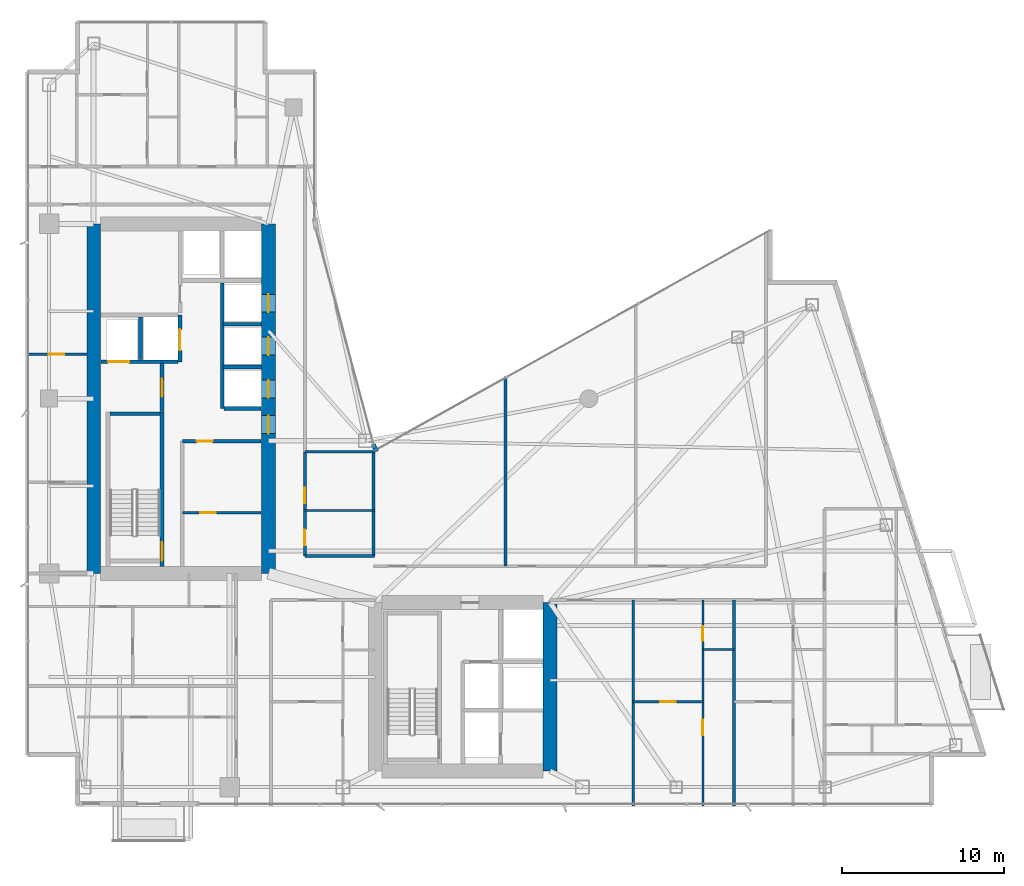
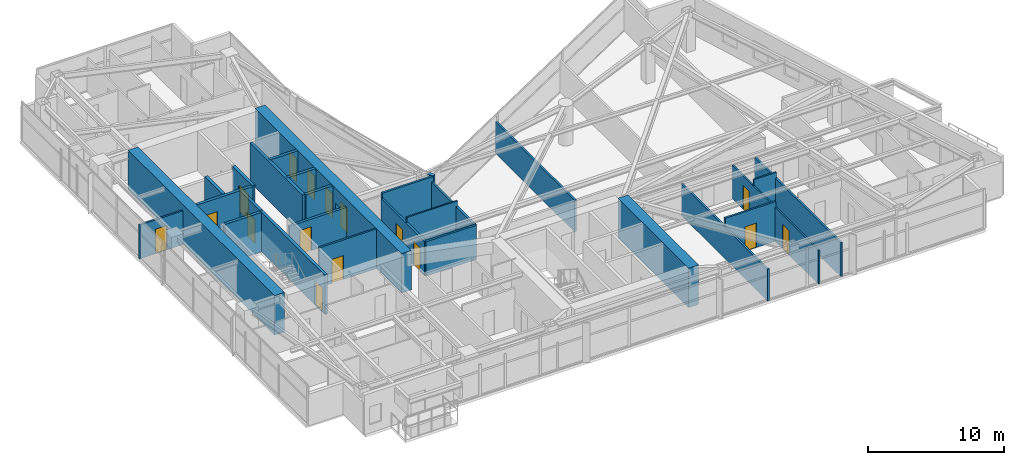
# One storey, part 23 of 29: 28 walls, 16 doors, 16 openings.
"""IFC4 building model written with IfcOpenShell, lengths in metres."""

from ifc_helpers import new_model, si_unit, direction, frame, frame_2d, origin, place, context, subcontext, project, spatial, rectangle, extrude, material, layer, layer_set, type_object, element, fill, save


model = new_model("IFC4")

# Units and contexts
model_context = context("Model", 3, precision=1e-05, world=origin(), true_north=direction((0.0, 1.0)))
body_context = subcontext(model_context, "Body", "Model", "MODEL_VIEW")
ifc_project = project(units=[si_unit("LENGTHUNIT", "METRE"), si_unit("AREAUNIT", "SQUARE_METRE"), si_unit("VOLUMEUNIT", "CUBIC_METRE"), si_unit("PLANEANGLEUNIT", "RADIAN"), si_unit("MASSUNIT", "GRAM", prefix="KILO")], contexts=[model_context])

# Site, building, storey
site_placement = place(None, origin())
site = spatial("IfcSite", under=ifc_project, at=site_placement, CompositionType="ELEMENT")
building_placement = place(site_placement, origin())
building = spatial("IfcBuilding", under=site, at=building_placement, Name="Calvorn Quay Hotel", CompositionType="ELEMENT")
storey_placement = place(building_placement, frame((0.0, 0.0, 124.0)))
storey = spatial("IfcBuildingStorey", under=building, at=storey_placement, Name="L30", CompositionType="ELEMENT", Elevation=124.0)

# Wall
ifc_material_1 = material(Name="Concrete C50", Category="concrete")
ifc_layer_1 = layer(ifc_material_1, 0.85009765625)
ifc_layer_set_1 = layer_set([ifc_layer_1], Name="WL-CORE-850")
wall_type_1 = type_object("IfcWallType", Name="WL-CORE-850", PredefinedType="SHEAR", material=ifc_layer_set_1)
wall_1_placement = place(storey_placement, frame((4.199951171875, 16.800048828125, 0.0), z_axis=(0.0, 0.0, 1.0), x_axis=(0.0, 1.0, 0.0)))
element("IfcWall", 1, at=wall_1_placement, inside=storey, type_object=wall_type_1, Name="West Core Shear Wall W (L30)", PredefinedType="SHEAR", context=body_context, shape_type="SweptSolid", body=[
    extrude(rectangle(XDim=21.599853515625, YDim=0.85009765625, at=frame_2d((10.7998046875, 0.0))), origin(), (0.0, 0.0, 1.0), 3.56005859375),
])

# Wall, openings, doors
wall_2_placement = place(storey_placement, frame((15.0, 16.800048828125, 0.0), z_axis=(0.0, 0.0, 1.0), x_axis=(0.0, 1.0, 0.0)))
wall_2 = element("IfcWall", 2, at=wall_2_placement, inside=storey, type_object=wall_type_1, Name="West Core Shear Wall E (L30)", PredefinedType="SHEAR", context=body_context, shape_type="SweptSolid", body=[
    extrude(rectangle(XDim=21.599853515625, YDim=0.85009765625, at=frame_2d((10.7998046875, 0.0))), origin(), (0.0, 0.0, 1.0), 3.56005859375),
])
opening_1_placement = place(wall_2_placement, frame((8.64990234375, 0.0, 0.0)))
opening_1 = element("IfcOpeningElement", 3, at=opening_1_placement, cuts=wall_2, Name="Opening D-L30-CW1", PredefinedType="OPENING", context=body_context, shape_type="SweptSolid", body=[
    extrude(rectangle(XDim=1.10009765625, YDim=2.199951171875, at=frame_2d((0.550048828125, 1.10009765625))), frame((0.0, 0.43505859375, 0.0), z_axis=(0.0, -1.0, 0.0), x_axis=(1.0, 0.0, 0.0)), (0.0, 0.0, 1.0), 0.8701171875),
])
opening_2_placement = place(wall_2_placement, frame((10.85009765625, 0.0, 0.0)))
opening_2 = element("IfcOpeningElement", 4, at=opening_2_placement, cuts=wall_2, Name="Opening LD-L30-M1", PredefinedType="OPENING", context=body_context, shape_type="SweptSolid", body=[
    extrude(rectangle(XDim=1.10009765625, YDim=2.199951171875, at=frame_2d((0.550048828125, 1.10009765625))), frame((0.0, 0.43505859375, 0.0), z_axis=(0.0, -1.0, 0.0), x_axis=(1.0, 0.0, 0.0)), (0.0, 0.0, 1.0), 0.8701171875),
])
opening_3_placement = place(wall_2_placement, frame((13.5, 0.0, 0.0)))
opening_3 = element("IfcOpeningElement", 5, at=opening_3_placement, cuts=wall_2, Name="Opening LD-L30-M2", PredefinedType="OPENING", context=body_context, shape_type="SweptSolid", body=[
    extrude(rectangle(XDim=1.10009765625, YDim=2.199951171875, at=frame_2d((0.550048828125, 1.10009765625))), frame((0.0, 0.43505859375, 0.0), z_axis=(0.0, -1.0, 0.0), x_axis=(1.0, 0.0, 0.0)), (0.0, 0.0, 1.0), 0.8701171875),
])
opening_4_placement = place(wall_2_placement, frame((16.14990234375, 0.0, 0.0)))
opening_4 = element("IfcOpeningElement", 6, at=opening_4_placement, cuts=wall_2, Name="Opening LD-L30-M3", PredefinedType="OPENING", context=body_context, shape_type="SweptSolid", body=[
    extrude(rectangle(XDim=1.10009765625, YDim=2.199951171875, at=frame_2d((0.550048828125, 1.10009765625))), frame((0.0, 0.43505859375, 0.0), z_axis=(0.0, -1.0, 0.0), x_axis=(1.0, 0.0, 0.0)), (0.0, 0.0, 1.0), 0.8701171875),
])
ifc_material_2 = material(Name="Smoke-Sealed Steel Class A Fire Door", Category="steel")
door_type_1 = type_object("IfcDoorType", Name="DR-FFLOBBY-1100", OperationType="NOTDEFINED", PredefinedType="DOOR", material=ifc_material_2)
door_1_placement = place(opening_1_placement, origin())
door_1 = element("IfcDoor", 7, at=door_1_placement, inside=storey, type_object=door_type_1, Name="West Core Vestibule Fire Door (L30)", OperationType="SINGLE_SWING_LEFT", OverallHeight=2.199951171875, OverallWidth=1.10009765625, PredefinedType="DOOR", context=body_context, shape_type="SweptSolid", body=[
    extrude(rectangle(XDim=1.10009765625, YDim=2.199951171875, at=frame_2d((0.550048828125, 1.10009765625))), frame((0.0, 0.02490234375, 0.0), z_axis=(0.0, -1.0, 0.0), x_axis=(1.0, 0.0, 0.0)), (0.0, 0.0, 1.0), 0.050048828125),
])
fill(opening_1, door_1)
ifc_material_3 = material(Name="Brushed Stainless Steel Sliding Lift Landing Door", Category="steel")
door_type_2 = type_object("IfcDoorType", Name="DR-LIFT-PASS-1100", OperationType="NOTDEFINED", PredefinedType="DOOR", material=ifc_material_3)
door_2_placement = place(opening_2_placement, origin())
door_2 = element("IfcDoor", 8, at=door_2_placement, inside=storey, type_object=door_type_2, Name="Mid-Rise Lift PL-M1 Landing Door (L30)", OperationType="DOUBLE_DOOR_SLIDING", OverallHeight=2.199951171875, OverallWidth=1.10009765625, PredefinedType="DOOR", context=body_context, shape_type="SweptSolid", body=[
    extrude(rectangle(XDim=1.10009765625, YDim=2.199951171875, at=frame_2d((0.550048828125, 1.10009765625))), frame((0.0, 0.02490234375, 0.0), z_axis=(0.0, -1.0, 0.0), x_axis=(1.0, 0.0, 0.0)), (0.0, 0.0, 1.0), 0.050048828125),
])
fill(opening_2, door_2)
door_3_placement = place(opening_3_placement, origin())
door_3 = element("IfcDoor", 9, at=door_3_placement, inside=storey, type_object=door_type_2, Name="Mid-Rise Lift PL-M2 Landing Door (L30)", OperationType="DOUBLE_DOOR_SLIDING", OverallHeight=2.199951171875, OverallWidth=1.10009765625, PredefinedType="DOOR", context=body_context, shape_type="SweptSolid", body=[
    extrude(rectangle(XDim=1.10009765625, YDim=2.199951171875, at=frame_2d((0.550048828125, 1.10009765625))), frame((0.0, 0.02490234375, 0.0), z_axis=(0.0, -1.0, 0.0), x_axis=(1.0, 0.0, 0.0)), (0.0, 0.0, 1.0), 0.050048828125),
])
fill(opening_3, door_3)
door_4_placement = place(opening_4_placement, origin())
door_4 = element("IfcDoor", 10, at=door_4_placement, inside=storey, type_object=door_type_2, Name="Mid-Rise Lift PL-M3 Landing Door (L30)", OperationType="DOUBLE_DOOR_SLIDING", OverallHeight=2.199951171875, OverallWidth=1.10009765625, PredefinedType="DOOR", context=body_context, shape_type="SweptSolid", body=[
    extrude(rectangle(XDim=1.10009765625, YDim=2.199951171875, at=frame_2d((0.550048828125, 1.10009765625))), frame((0.0, 0.02490234375, 0.0), z_axis=(0.0, -1.0, 0.0), x_axis=(1.0, 0.0, 0.0)), (0.0, 0.0, 1.0), 0.050048828125),
])
fill(opening_4, door_4)

# Walls
wall_3_placement = place(storey_placement, frame((32.39990234375, 4.60009765625, 0.0), z_axis=(0.0, 0.0, 1.0), x_axis=(0.0, 1.0, 0.0)))
element("IfcWall", 11, at=wall_3_placement, inside=storey, type_object=wall_type_1, Name="East Core Shear Wall E (L30)", PredefinedType="SHEAR", context=body_context, shape_type="SweptSolid", body=[
    extrude(rectangle(XDim=10.39990234375, YDim=0.85009765625, at=frame_2d((5.199951171875, 0.0))), origin(), (0.0, 0.0, 1.0), 3.56005859375),
])
ifc_material_4 = material(Name="Acoustic Fireboard Steel-Stud Partition", Category="steel")
ifc_layer_2 = layer(ifc_material_4, 0.179931640625)
ifc_layer_set_2 = layer_set([ifc_layer_2], Name="WL-CORR-FIRE-180")
wall_type_2 = type_object("IfcWallType", Name="WL-CORR-FIRE-180", PredefinedType="PARTITIONING", material=ifc_layer_set_2)
wall_4_placement = place(storey_placement, frame((17.25, 17.8798828125, 0.0), z_axis=(0.0, 0.0, 1.0), x_axis=(1.0, 0.0, 0.0)))
element("IfcWall", 12, at=wall_4_placement, inside=storey, type_object=wall_type_2, Name="Partition Wall L30-WL-HK-S", PredefinedType="PARTITIONING", context=body_context, shape_type="SweptSolid", body=[
    extrude(rectangle(XDim=4.300048828125, YDim=0.179931640625, at=frame_2d((2.14990234375, 0.0))), origin(), (0.0, 0.0, 1.0), 3.090087890625),
])
wall_5_placement = place(storey_placement, frame((17.25, 24.320068359375, 0.0), z_axis=(0.0, 0.0, 1.0), x_axis=(1.0, 0.0, 0.0)))
element("IfcWall", 13, at=wall_5_placement, inside=storey, type_object=wall_type_2, Name="Partition Wall L30-WL-HK-N", PredefinedType="PARTITIONING", context=body_context, shape_type="SweptSolid", body=[
    extrude(rectangle(XDim=4.35009765625, YDim=0.179931640625, at=frame_2d((2.175048828125, 0.0))), origin(), (0.0, 0.0, 1.0), 3.56005859375),
])
wall_6_placement = place(storey_placement, frame((21.5, 17.8798828125, 0.0), z_axis=(0.0, 0.0, 1.0), x_axis=(0.0, 1.0, 0.0)))
element("IfcWall", 14, at=wall_6_placement, inside=storey, type_object=wall_type_2, Name="Partition Wall L30-WL-HK-E", PredefinedType="PARTITIONING", context=body_context, shape_type="SweptSolid", body=[
    extrude(rectangle(XDim=6.440185546875, YDim=0.179931640625, at=frame_2d((3.22021484375, 0.0))), origin(), (0.0, 0.0, 1.0), 3.090087890625),
])

# Wall, openings, doors
wall_7_placement = place(storey_placement, frame((17.25, 17.8798828125, 0.0), z_axis=(0.0, 0.0, 1.0), x_axis=(0.0, 1.0, 0.0)))
wall_7 = element("IfcWall", 15, at=wall_7_placement, inside=storey, type_object=wall_type_2, Name="Partition Wall L30-WL-HK-W", PredefinedType="PARTITIONING", context=body_context, shape_type="SweptSolid", body=[
    extrude(rectangle(XDim=6.440185546875, YDim=0.179931640625, at=frame_2d((3.22021484375, 0.0))), origin(), (0.0, 0.0, 1.0), 3.090087890625),
])
opening_5_placement = place(wall_7_placement, frame((0.64990234375, 0.0, 0.0)))
opening_5 = element("IfcOpeningElement", 16, at=opening_5_placement, cuts=wall_7, Name="Opening D-L30-HK", PredefinedType="OPENING", context=body_context, shape_type="SweptSolid", body=[
    extrude(rectangle(XDim=0.97998046875, YDim=2.14990234375, at=frame_2d((0.489990234375, 1.074951171875))), frame((0.0, 0.099853515625, 0.0), z_axis=(0.0, -1.0, 0.0), x_axis=(1.0, 0.0, 0.0)), (0.0, 0.0, 1.0), 0.199951171875),
])
opening_6_placement = place(wall_7_placement, frame((3.27001953125, 0.0, 0.0)))
opening_6 = element("IfcOpeningElement", 17, at=opening_6_placement, cuts=wall_7, Name="Opening D-L30-NCP", PredefinedType="OPENING", context=body_context, shape_type="SweptSolid", body=[
    extrude(rectangle(XDim=0.9599609375, YDim=2.199951171875, at=frame_2d((0.47998046875, 1.10009765625))), frame((0.0, 0.099853515625, 0.0), z_axis=(0.0, -1.0, 0.0), x_axis=(1.0, 0.0, 0.0)), (0.0, 0.0, 1.0), 0.199951171875),
])
ifc_material_5 = material(Name="Painted Steel Housekeeping/Riser Fire Door", Category="steel")
door_type_3 = type_object("IfcDoorType", Name="DR-SERVICE-980", OperationType="NOTDEFINED", PredefinedType="DOOR", material=ifc_material_5)
door_5_placement = place(opening_5_placement, origin())
door_5 = element("IfcDoor", 18, at=door_5_placement, inside=storey, type_object=door_type_3, Name="Floor Housekeeping Door (L30)", OperationType="SINGLE_SWING_LEFT", OverallHeight=2.14990234375, OverallWidth=0.97998046875, PredefinedType="DOOR", context=body_context, shape_type="SweptSolid", body=[
    extrude(rectangle(XDim=0.97998046875, YDim=2.14990234375, at=frame_2d((0.489990234375, 1.074951171875))), frame((0.0, 0.02490234375, 0.0), z_axis=(0.0, -1.0, 0.0), x_axis=(1.0, 0.0, 0.0)), (0.0, 0.0, 1.0), 0.050048828125),
])
fill(opening_5, door_5)
ifc_material_6 = material(Name="Solid Timber Internal Suite Door", Category="wood")
door_type_4 = type_object("IfcDoorType", Name="DR-SUITE-INT-960", OperationType="NOTDEFINED", PredefinedType="DOOR", material=ifc_material_6)
door_6_placement = place(opening_6_placement, origin())
door_6 = element("IfcDoor", 19, at=door_6_placement, inside=storey, type_object=door_type_4, Name="Reading Alcove Door (L30)", OperationType="SINGLE_SWING_RIGHT", OverallHeight=2.199951171875, OverallWidth=0.9599609375, PredefinedType="DOOR", context=body_context, shape_type="SweptSolid", body=[
    extrude(rectangle(XDim=0.9599609375, YDim=2.199951171875, at=frame_2d((0.47998046875, 1.10009765625))), frame((0.0, 0.02490234375, 0.0), z_axis=(0.0, -1.0, 0.0), x_axis=(1.0, 0.0, 0.0)), (0.0, 0.0, 1.0), 0.050048828125),
])
fill(opening_6, door_6)

# Walls
ifc_material_7 = material(Name="Moisture-Resistant Tile-Backed Partition")
ifc_layer_3 = layer(ifc_material_7, 0.125)
ifc_layer_set_3 = layer_set([ifc_layer_3], Name="WL-ENSUITE-125")
wall_type_3 = type_object("IfcWallType", Name="WL-ENSUITE-125", PredefinedType="PARTITIONING", material=ifc_layer_set_3)
wall_8_placement = place(storey_placement, frame((17.25, 20.679931640625, 0.0), z_axis=(0.0, 0.0, 1.0), x_axis=(1.0, 0.0, 0.0)))
element("IfcWall", 20, at=wall_8_placement, inside=storey, type_object=wall_type_3, Name="Partition Wall L30-WL-HK-M", PredefinedType="PARTITIONING", context=body_context, shape_type="SweptSolid", body=[
    extrude(rectangle(XDim=4.300048828125, YDim=0.125, at=frame_2d((2.14990234375, 0.0))), origin(), (0.0, 0.0, 1.0), 3.56005859375),
])
wall_9_placement = place(storey_placement, frame((41.840087890625, 12.10009765625, 0.0), z_axis=(0.0, 0.0, 1.0), x_axis=(1.0, 0.0, 0.0)))
element("IfcWall", 21, at=wall_9_placement, inside=storey, type_object=wall_type_3, Name="Partition Wall L30-WL-U06-BDV", PredefinedType="PARTITIONING", context=body_context, shape_type="SweptSolid", body=[
    extrude(rectangle(XDim=1.929931640625, YDim=0.125, at=frame_2d((0.96484375, 0.0))), origin(), (0.0, 0.0, 1.0), 3.56005859375),
])

# Wall, openings, doors
wall_10_placement = place(storey_placement, frame((41.840087890625, 2.43994140625, 0.0), z_axis=(0.0, 0.0, 1.0), x_axis=(0.0, 1.0, 0.0)))
wall_10 = element("IfcWall", 22, at=wall_10_placement, inside=storey, type_object=wall_type_3, Name="Partition Wall L30-WL-U06-BV", PredefinedType="PARTITIONING", context=body_context, shape_type="SweptSolid", body=[
    extrude(rectangle(XDim=12.7099609375, YDim=0.125, at=frame_2d((6.35498046875, 0.0))), origin(), (0.0, 0.0, 1.0), 3.0400390625),
])
opening_7_placement = place(wall_10_placement, frame((4.35009765625, 0.0, 0.0)))
opening_7 = element("IfcOpeningElement", 23, at=opening_7_placement, cuts=wall_10, Name="Opening D-L30-S06", PredefinedType="OPENING", context=body_context, shape_type="SweptSolid", body=[
    extrude(rectangle(XDim=0.9599609375, YDim=2.199951171875, at=frame_2d((0.47998046875, 1.10009765625))), frame((0.0, 0.072509765625, 0.0), z_axis=(0.0, -1.0, 0.0), x_axis=(1.0, 0.0, 0.0)), (0.0, 0.0, 1.0), 0.14501953125),
])
opening_8_placement = place(wall_10_placement, frame((10.2099609375, 0.0, 0.0)))
opening_8 = element("IfcOpeningElement", 24, at=opening_8_placement, cuts=wall_10, Name="Opening D-L30-E06", PredefinedType="OPENING", context=body_context, shape_type="SweptSolid", body=[
    extrude(rectangle(XDim=0.89990234375, YDim=2.14990234375, at=frame_2d((0.449951171875, 1.074951171875))), frame((0.0, 0.072509765625, 0.0), z_axis=(0.0, -1.0, 0.0), x_axis=(1.0, 0.0, 0.0)), (0.0, 0.0, 1.0), 0.14501953125),
])
ifc_material_8 = material(Name="Moisture-Sealed Timber En-Suite Door", Category="wood")
door_type_5 = type_object("IfcDoorType", Name="DR-ENSUITE-900", OperationType="NOTDEFINED", PredefinedType="DOOR", material=ifc_material_8)
door_7_placement = place(opening_8_placement, origin())
door_7 = element("IfcDoor", 25, at=door_7_placement, inside=storey, type_object=door_type_5, Name="En-Suite Door 06", OperationType="SINGLE_SWING_RIGHT", OverallHeight=2.14990234375, OverallWidth=0.89990234375, PredefinedType="DOOR", context=body_context, shape_type="SweptSolid", body=[
    extrude(rectangle(XDim=0.89990234375, YDim=2.14990234375, at=frame_2d((0.449951171875, 1.074951171875))), frame((0.0, 0.02490234375, 0.0), z_axis=(0.0, -1.0, 0.0), x_axis=(1.0, 0.0, 0.0)), (0.0, 0.0, 1.0), 0.050048828125),
])
fill(opening_8, door_7)
door_8_placement = place(opening_7_placement, origin())
door_8 = element("IfcDoor", 26, at=door_8_placement, inside=storey, type_object=door_type_4, Name="Harbour Tea Room Door 06", OperationType="SINGLE_SWING_LEFT", OverallHeight=2.199951171875, OverallWidth=0.9599609375, PredefinedType="DOOR", context=body_context, shape_type="SweptSolid", body=[
    extrude(rectangle(XDim=0.9599609375, YDim=2.199951171875, at=frame_2d((0.47998046875, 1.10009765625))), frame((0.0, 0.02490234375, 0.0), z_axis=(0.0, -1.0, 0.0), x_axis=(1.0, 0.0, 0.0)), (0.0, 0.0, 1.0), 0.050048828125),
])
fill(opening_7, door_8)

# Wall
ifc_material_9 = material(Name="Concrete C40", Category="concrete")
ifc_layer_4 = layer(ifc_material_9, 0.320068359375)
ifc_layer_set_4 = layer_set([ifc_layer_4], Name="WL-EXT-SPANDREL-320")
wall_type_4 = type_object("IfcWallType", Name="WL-EXT-SPANDREL-320", PredefinedType="SOLIDWALL", material=ifc_layer_set_4)
wall_11_placement = place(storey_placement, frame((21.679931640625, 24.340087890625, 0.0), z_axis=(0.0, 0.0, 1.0), x_axis=(-0.40758134973, 0.913168901875, 0.0)))
element("IfcWall", 27, at=wall_11_placement, inside=storey, type_object=wall_type_4, Name="Inner Court Corner Pier L30-ICJ1", PredefinedType="SOLIDWALL", context=body_context, shape_type="SweptSolid", body=[
    extrude(rectangle(XDim=0.470703125, YDim=0.280029296875, at=frame_2d((0.2353515625, 0.0))), origin(), (0.0, 0.0, 1.0), 3.56005859375),
])

# Wall, opening, door
ifc_material_10 = material(Name="Double-Stud Acoustic Gypsum Partition")
ifc_layer_5 = layer(ifc_material_10, 0.159912109375)
ifc_layer_set_5 = layer_set([ifc_layer_5], Name="WL-INTERSUITE-160")
wall_type_5 = type_object("IfcWallType", Name="WL-INTERSUITE-160", PredefinedType="PARTITIONING", material=ifc_layer_set_5)
wall_12_placement = place(storey_placement, frame((9.679931640625, 20.550048828125, 0.0), z_axis=(0.0, 0.0, 1.0), x_axis=(1.0, 0.0, 0.0)))
wall_12 = element("IfcWall", 28, at=wall_12_placement, inside=storey, type_object=wall_type_5, Name="Partition Wall L30-WL-CWW-FR-SPLIT", PredefinedType="PARTITIONING", context=body_context, shape_type="SweptSolid", body=[
    extrude(rectangle(XDim=4.875, YDim=0.159912109375, at=frame_2d((2.4375, 0.0))), origin(), (0.0, 0.0, 1.0), 3.56005859375),
])
opening_9_placement = place(wall_12_placement, frame((1.10009765625, 0.0, 0.0)))
opening_9 = element("IfcOpeningElement", 29, at=opening_9_placement, cuts=wall_12, Name="Opening D-L30-FRL1", PredefinedType="OPENING", context=body_context, shape_type="SweptSolid", body=[
    extrude(rectangle(XDim=0.97998046875, YDim=2.14990234375, at=frame_2d((0.489990234375, 1.074951171875))), frame((0.0, 0.08984375, 0.0), z_axis=(0.0, -1.0, 0.0), x_axis=(1.0, 0.0, 0.0)), (0.0, 0.0, 1.0), 0.179931640625),
])
door_9_placement = place(opening_9_placement, origin())
door_9 = element("IfcDoor", 30, at=door_9_placement, inside=storey, type_object=door_type_3, Name="Linen Store Room Door (L30)", OperationType="SINGLE_SWING_LEFT", OverallHeight=2.14990234375, OverallWidth=0.97998046875, PredefinedType="DOOR", context=body_context, shape_type="SweptSolid", body=[
    extrude(rectangle(XDim=0.97998046875, YDim=2.14990234375, at=frame_2d((0.489990234375, 1.074951171875))), frame((0.0, 0.02490234375, 0.0), z_axis=(0.0, -1.0, 0.0), x_axis=(1.0, 0.0, 0.0)), (0.0, 0.0, 1.0), 0.050048828125),
])
fill(opening_9, door_9)

wall_13_placement = place(storey_placement, frame((0.080078125, 30.35009765625, 0.0), z_axis=(0.0, 0.0, 1.0), x_axis=(1.0, 0.0, 0.0)))
wall_13 = element("IfcWall", 31, at=wall_13_placement, inside=storey, type_object=wall_type_5, Name="Partition Wall L30-WL-WBAY-DIVB", PredefinedType="PARTITIONING", context=body_context, shape_type="SweptSolid", body=[
    extrude(rectangle(XDim=3.724853515625, YDim=0.159912109375, at=frame_2d((1.8623046875, 0.0))), origin(), (0.0, 0.0, 1.0), 3.0400390625),
])
opening_10_placement = place(wall_13_placement, frame((1.35009765625, 0.0, 0.0)))
opening_10 = element("IfcOpeningElement", 32, at=opening_10_placement, cuts=wall_13, Name="Opening D-L30-WBB", PredefinedType="OPENING", context=body_context, shape_type="SweptSolid", body=[
    extrude(rectangle(XDim=0.9599609375, YDim=2.199951171875, at=frame_2d((0.47998046875, 1.10009765625))), frame((0.0, 0.08984375, 0.0), z_axis=(0.0, -1.0, 0.0), x_axis=(1.0, 0.0, 0.0)), (0.0, 0.0, 1.0), 0.179931640625),
])
door_10_placement = place(opening_10_placement, origin())
door_10 = element("IfcDoor", 33, at=door_10_placement, inside=storey, type_object=door_type_4, Name="West North Connecting Door (L30)", OperationType="SINGLE_SWING_RIGHT", OverallHeight=2.199951171875, OverallWidth=0.9599609375, PredefinedType="DOOR", context=body_context, shape_type="SweptSolid", body=[
    extrude(rectangle(XDim=0.9599609375, YDim=2.199951171875, at=frame_2d((0.47998046875, 1.10009765625))), frame((0.0, 0.02490234375, 0.0), z_axis=(0.0, -1.0, 0.0), x_axis=(1.0, 0.0, 0.0)), (0.0, 0.0, 1.0), 0.050048828125),
])
fill(opening_10, door_10)

wall_14_placement = place(storey_placement, frame((37.530029296875, 8.8798828125, 0.0), z_axis=(0.0, 0.0, 1.0), x_axis=(1.0, 0.0, 0.0)))
wall_14 = element("IfcWall", 34, at=wall_14_placement, inside=storey, type_object=wall_type_5, Name="Partition Wall L30-WL-U06-MSP", PredefinedType="PARTITIONING", context=body_context, shape_type="SweptSolid", body=[
    extrude(rectangle(XDim=4.31005859375, YDim=0.159912109375, at=frame_2d((2.155029296875, 0.0))), origin(), (0.0, 0.0, 1.0), 3.56005859375),
])
opening_11_placement = place(wall_14_placement, frame((1.679931640625, 0.0, 0.0)))
opening_11 = element("IfcOpeningElement", 35, at=opening_11_placement, cuts=wall_14, Name="Opening D-L30-M06", PredefinedType="OPENING", context=body_context, shape_type="SweptSolid", body=[
    extrude(rectangle(XDim=0.9599609375, YDim=2.199951171875, at=frame_2d((0.47998046875, 1.10009765625))), frame((0.0, 0.08984375, 0.0), z_axis=(0.0, -1.0, 0.0), x_axis=(1.0, 0.0, 0.0)), (0.0, 0.0, 1.0), 0.179931640625),
])
door_11_placement = place(opening_11_placement, origin())
door_11 = element("IfcDoor", 36, at=door_11_placement, inside=storey, type_object=door_type_4, Name="Suite Bedroom Door 06", OperationType="SINGLE_SWING_LEFT", OverallHeight=2.199951171875, OverallWidth=0.9599609375, PredefinedType="DOOR", context=body_context, shape_type="SweptSolid", body=[
    extrude(rectangle(XDim=0.9599609375, YDim=2.199951171875, at=frame_2d((0.47998046875, 1.10009765625))), frame((0.0, 0.02490234375, 0.0), z_axis=(0.0, -1.0, 0.0), x_axis=(1.0, 0.0, 0.0)), (0.0, 0.0, 1.0), 0.050048828125),
])
fill(opening_11, door_11)

# Walls
wall_15_placement = place(storey_placement, frame((37.530029296875, 2.43994140625, 0.0), z_axis=(0.0, 0.0, 1.0), x_axis=(0.0, 1.0, 0.0)))
element("IfcWall", 37, at=wall_15_placement, inside=storey, type_object=wall_type_5, Name="Partition Wall L30-WL-SE-DIV-1", PredefinedType="PARTITIONING", context=body_context, shape_type="SweptSolid", body=[
    extrude(rectangle(XDim=12.7099609375, YDim=0.159912109375, at=frame_2d((6.35498046875, 0.0))), origin(), (0.0, 0.0, 1.0), 2.840087890625),
])
wall_16_placement = place(storey_placement, frame((43.77001953125, 2.43994140625, 0.0), z_axis=(0.0, 0.0, 1.0), x_axis=(0.0, 1.0, 0.0)))
element("IfcWall", 38, at=wall_16_placement, inside=storey, type_object=wall_type_5, Name="Partition Wall L30-WL-SE-DIV-2", PredefinedType="PARTITIONING", context=body_context, shape_type="SweptSolid", body=[
    extrude(rectangle(XDim=12.7099609375, YDim=0.159912109375, at=frame_2d((6.35498046875, 0.0))), origin(), (0.0, 0.0, 1.0), 3.0400390625),
])
wall_17_placement = place(storey_placement, frame((29.64990234375, 17.25, 0.0), z_axis=(0.0, 0.0, 1.0), x_axis=(0.0, 1.0, 0.0)))
element("IfcWall", 39, at=wall_17_placement, inside=storey, type_object=wall_type_5, Name="Partition Wall L30-WL-NE-DIV-1", PredefinedType="PARTITIONING", context=body_context, shape_type="SweptSolid", body=[
    extrude(rectangle(XDim=11.719970703125, YDim=0.159912109375, at=frame_2d((5.85986328125, 0.0))), origin(), (0.0, 0.0, 1.0), 2.840087890625),
])

# Wall, opening, door
ifc_material_11 = material(Name="Autoclaved Aerated Masonry Block", Category="masonry")
ifc_layer_6 = layer(ifc_material_11, 0.219970703125)
ifc_layer_set_6 = layer_set([ifc_layer_6], Name="WL-LOBBY-FIRE-220")
wall_type_6 = type_object("IfcWallType", Name="WL-LOBBY-FIRE-220", PredefinedType="SOLIDWALL", material=ifc_layer_set_6)
wall_18_placement = place(storey_placement, frame((9.679931640625, 24.969970703125, 0.0), z_axis=(0.0, 0.0, 1.0), x_axis=(1.0, 0.0, 0.0)))
wall_18 = element("IfcWall", 40, at=wall_18_placement, inside=storey, type_object=wall_type_6, Name="Partition Wall L30-WL-CWW-FR-N", PredefinedType="SOLIDWALL", context=body_context, shape_type="SweptSolid", body=[
    extrude(rectangle(XDim=4.875, YDim=0.219970703125, at=frame_2d((2.4375, 0.0))), origin(), (0.0, 0.0, 1.0), 2.840087890625),
])
opening_12_placement = place(wall_18_placement, frame((0.89990234375, 0.0, 0.0)))
opening_12 = element("IfcOpeningElement", 41, at=opening_12_placement, cuts=wall_18, Name="Opening D-L30-FRL2", PredefinedType="OPENING", context=body_context, shape_type="SweptSolid", body=[
    extrude(rectangle(XDim=0.97998046875, YDim=2.14990234375, at=frame_2d((0.489990234375, 1.074951171875))), frame((0.0, 0.119873046875, 0.0), z_axis=(0.0, -1.0, 0.0), x_axis=(1.0, 0.0, 0.0)), (0.0, 0.0, 1.0), 0.239990234375),
])
door_12_placement = place(opening_12_placement, origin())
door_12 = element("IfcDoor", 42, at=door_12_placement, inside=storey, type_object=door_type_3, Name="Beverage Pantry Door (L30)", OperationType="SINGLE_SWING_RIGHT", OverallHeight=2.14990234375, OverallWidth=0.97998046875, PredefinedType="DOOR", context=body_context, shape_type="SweptSolid", body=[
    extrude(rectangle(XDim=0.97998046875, YDim=2.14990234375, at=frame_2d((0.489990234375, 1.074951171875))), frame((0.0, 0.02490234375, 0.0), z_axis=(0.0, -1.0, 0.0), x_axis=(1.0, 0.0, 0.0)), (0.0, 0.0, 1.0), 0.050048828125),
])
fill(opening_12, door_12)

ifc_material_12 = material(Name="Concrete C40", Category="concrete")
ifc_layer_7 = layer(ifc_material_12, 0.239990234375)
ifc_layer_set_7 = layer_set([ifc_layer_7], Name="WL-SHAFT-240")
wall_type_7 = type_object("IfcWallType", Name="WL-SHAFT-240", PredefinedType="SOLIDWALL", material=ifc_layer_set_7)
wall_19_placement = place(storey_placement, frame((8.419921875, 17.22509765625, 0.0), z_axis=(0.0, 0.0, 1.0), x_axis=(0.0, 1.0, 0.0)))
wall_19 = element("IfcWall", 43, at=wall_19_placement, inside=storey, type_object=wall_type_7, Name="Stair STW Shaft Wall E (L30)", PredefinedType="SOLIDWALL", context=body_context, shape_type="SweptSolid", body=[
    extrude(rectangle(XDim=9.56494140625, YDim=0.239990234375, at=frame_2d((4.782470703125, 0.0))), origin(), (0.0, 0.0, 1.0), 3.56005859375),
])
opening_13_placement = place(wall_19_placement, frame((0.35009765625, 0.0, 0.0)))
opening_13 = element("IfcOpeningElement", 44, at=opening_13_placement, cuts=wall_19, Name="Opening D-L30-STW", PredefinedType="OPENING", context=body_context, shape_type="SweptSolid", body=[
    extrude(rectangle(XDim=1.14990234375, YDim=2.199951171875, at=frame_2d((0.574951171875, 1.10009765625))), frame((0.0, 0.1298828125, 0.0), z_axis=(0.0, -1.0, 0.0), x_axis=(1.0, 0.0, 0.0)), (0.0, 0.0, 1.0), 0.260009765625),
])
ifc_material_13 = material(Name="Galvanised Steel Class A Fire Door", Category="steel")
door_type_6 = type_object("IfcDoorType", Name="DR-STAIR-SMOKE-1150", OperationType="NOTDEFINED", PredefinedType="DOOR", material=ifc_material_13)
door_13_placement = place(opening_13_placement, origin())
door_13 = element("IfcDoor", 45, at=door_13_placement, inside=storey, type_object=door_type_6, Name="Stair ST-W Fire Door (L30)", OperationType="SINGLE_SWING_LEFT", OverallHeight=2.199951171875, OverallWidth=1.14990234375, PredefinedType="DOOR", context=body_context, shape_type="SweptSolid", body=[
    extrude(rectangle(XDim=1.14990234375, YDim=2.199951171875, at=frame_2d((0.574951171875, 1.10009765625))), frame((0.0, 0.02490234375, 0.0), z_axis=(0.0, -1.0, 0.0), x_axis=(1.0, 0.0, 0.0)), (0.0, 0.0, 1.0), 0.050048828125),
])
fill(opening_13, door_13)

# Walls
wall_20_placement = place(storey_placement, frame((5.199951171875, 26.669921875, 0.0), z_axis=(0.0, 0.0, 1.0), x_axis=(1.0, 0.0, 0.0)))
element("IfcWall", 46, at=wall_20_placement, inside=storey, type_object=wall_type_7, Name="Stair STW Shaft Wall N (L30)", PredefinedType="SOLIDWALL", context=body_context, shape_type="SweptSolid", body=[
    extrude(rectangle(XDim=3.10009765625, YDim=0.239990234375, at=frame_2d((1.550048828125, 0.0))), origin(), (0.0, 0.0, 1.0), 3.56005859375),
])
for number, where, z_axis, x_axis, name in (
    (47, (12.179931640625, 29.550048828125, 0.0), (0.0, 0.0, 1.0), (1.0, 0.0, 0.0), "Lift Hoistway Divider Wall PLM12 (L30)"),
    (48, (12.179931640625, 32.199951171875, 0.0), (0.0, 0.0, 1.0), (1.0, 0.0, 0.0), "Lift Hoistway Divider Wall PLM23 (L30)"),
):
    element("IfcWall", number, at=place(storey_placement, frame(where, z_axis=z_axis, x_axis=x_axis)), inside=storey, type_object=wall_type_7, Name=name, PredefinedType="SOLIDWALL", context=body_context, shape_type="SweptSolid", body=[
        extrude(rectangle(XDim=2.39501953125, YDim=0.239990234375, at=frame_2d((1.197509765625, 0.0))), origin(), (0.0, 0.0, 1.0), 3.56005859375),
    ])

# Wall, opening, door
wall_21_placement = place(storey_placement, frame((8.419921875, 26.820068359375, 0.0), z_axis=(0.0, 0.0, 1.0), x_axis=(0.0, 1.0, 0.0)))
wall_21 = element("IfcWall", 49, at=wall_21_placement, inside=storey, type_object=wall_type_7, Name="Partition Wall L30-WL-CWW-FFL-E", PredefinedType="SOLIDWALL", context=body_context, shape_type="SweptSolid", body=[
    extrude(rectangle(XDim=3.0, YDim=0.239990234375, at=frame_2d((1.5, 0.0))), origin(), (0.0, 0.0, 1.0), 3.56005859375),
])
opening_14_placement = place(wall_21_placement, frame((0.89990234375, 0.0, 0.0)))
opening_14 = element("IfcOpeningElement", 50, at=opening_14_placement, cuts=wall_21, Name="Opening D-L30-FLW", PredefinedType="OPENING", context=body_context, shape_type="SweptSolid", body=[
    extrude(rectangle(XDim=1.10009765625, YDim=2.199951171875, at=frame_2d((0.550048828125, 1.10009765625))), frame((0.0, 0.1298828125, 0.0), z_axis=(0.0, -1.0, 0.0), x_axis=(1.0, 0.0, 0.0)), (0.0, 0.0, 1.0), 0.260009765625),
])
door_14_placement = place(opening_14_placement, origin())
door_14 = element("IfcDoor", 51, at=door_14_placement, inside=storey, type_object=door_type_1, Name="West Firefighting Lobby Fire Door (L30)", OperationType="SINGLE_SWING_RIGHT", OverallHeight=2.199951171875, OverallWidth=1.10009765625, PredefinedType="DOOR", context=body_context, shape_type="SweptSolid", body=[
    extrude(rectangle(XDim=1.10009765625, YDim=2.199951171875, at=frame_2d((0.550048828125, 1.10009765625))), frame((0.0, 0.02490234375, 0.0), z_axis=(0.0, -1.0, 0.0), x_axis=(1.0, 0.0, 0.0)), (0.0, 0.0, 1.0), 0.050048828125),
])
fill(opening_14, door_14)

wall_22_placement = place(storey_placement, frame((4.64501953125, 29.8798828125, 0.0), z_axis=(0.0, 0.0, 1.0), x_axis=(1.0, 0.0, 0.0)))
wall_22 = element("IfcWall", 52, at=wall_22_placement, inside=storey, type_object=wall_type_7, Name="Partition Wall L30-WL-CWW-FLW-S", PredefinedType="SOLIDWALL", context=body_context, shape_type="SweptSolid", body=[
    extrude(rectangle(XDim=4.77490234375, YDim=0.239990234375, at=frame_2d((2.387451171875, 0.0))), origin(), (0.0, 0.0, 1.0), 3.56005859375),
])
opening_15_placement = place(wall_22_placement, frame((0.449951171875, 0.0, 0.0)))
opening_15 = element("IfcOpeningElement", 53, at=opening_15_placement, cuts=wall_22, Name="Opening LD-L30-FLW1", PredefinedType="OPENING", context=body_context, shape_type="SweptSolid", body=[
    extrude(rectangle(XDim=1.300048828125, YDim=2.35009765625, at=frame_2d((0.64990234375, 1.175048828125))), frame((0.0, 0.1298828125, 0.0), z_axis=(0.0, -1.0, 0.0), x_axis=(1.0, 0.0, 0.0)), (0.0, 0.0, 1.0), 0.260009765625),
])
ifc_material_14 = material(Name="Champagne-Bronze Sliding Express Lift Landing Door")
door_type_7 = type_object("IfcDoorType", Name="DR-LIFT-SHUTTLE-1300", OperationType="NOTDEFINED", PredefinedType="DOOR", material=ifc_material_14)
door_15_placement = place(opening_15_placement, origin())
door_15 = element("IfcDoor", 54, at=door_15_placement, inside=storey, type_object=door_type_7, Name="Firefighting Lift FL-W1 Landing Door (L30)", OperationType="DOUBLE_DOOR_SLIDING", OverallHeight=2.35009765625, OverallWidth=1.300048828125, PredefinedType="DOOR", context=body_context, shape_type="SweptSolid", body=[
    extrude(rectangle(XDim=1.300048828125, YDim=2.35009765625, at=frame_2d((0.64990234375, 1.175048828125))), frame((0.0, 0.02490234375, 0.0), z_axis=(0.0, -1.0, 0.0), x_axis=(1.0, 0.0, 0.0)), (0.0, 0.0, 1.0), 0.050048828125),
])
fill(opening_15, door_15)

# Wall
wall_23_placement = place(storey_placement, frame((7.10009765625, 30.02001953125, 0.0), z_axis=(0.0, 0.0, 1.0), x_axis=(0.0, 1.0, 0.0)))
element("IfcWall", 55, at=wall_23_placement, inside=storey, type_object=wall_type_7, Name="Partition Wall L30-WL-CWW-FLW-DIV", PredefinedType="SOLIDWALL", context=body_context, shape_type="SweptSolid", body=[
    extrude(rectangle(XDim=2.6298828125, YDim=0.239990234375, at=frame_2d((1.31494140625, 0.0))), origin(), (0.0, 0.0, 1.0), 3.56005859375),
])

# Wall, opening, door
wall_24_placement = place(storey_placement, frame((9.5400390625, 29.8798828125, 0.0), z_axis=(0.0, 0.0, 1.0), x_axis=(0.0, 1.0, 0.0)))
wall_24 = element("IfcWall", 56, at=wall_24_placement, inside=storey, type_object=wall_type_7, Name="Partition Wall L30-WL-CWW-SLW-E", PredefinedType="SOLIDWALL", context=body_context, shape_type="SweptSolid", body=[
    extrude(rectangle(XDim=2.900146484375, YDim=0.239990234375, at=frame_2d((1.4501953125, 0.0))), origin(), (0.0, 0.0, 1.0), 3.56005859375),
])
opening_16_placement = place(wall_24_placement, frame((0.699951171875, 0.0, 0.0)))
opening_16 = element("IfcOpeningElement", 57, at=opening_16_placement, cuts=wall_24, Name="Opening LD-L30-SLW1", PredefinedType="OPENING", context=body_context, shape_type="SweptSolid", body=[
    extrude(rectangle(XDim=1.300048828125, YDim=2.35009765625, at=frame_2d((0.64990234375, 1.175048828125))), frame((0.0, 0.1298828125, 0.0), z_axis=(0.0, -1.0, 0.0), x_axis=(1.0, 0.0, 0.0)), (0.0, 0.0, 1.0), 0.260009765625),
])
door_16_placement = place(opening_16_placement, origin())
door_16 = element("IfcDoor", 58, at=door_16_placement, inside=storey, type_object=door_type_7, Name="Service Lift SL-W1 Landing Door (L30)", OperationType="DOUBLE_DOOR_SLIDING", OverallHeight=2.35009765625, OverallWidth=1.300048828125, PredefinedType="DOOR", context=body_context, shape_type="SweptSolid", body=[
    extrude(rectangle(XDim=1.300048828125, YDim=2.35009765625, at=frame_2d((0.64990234375, 1.175048828125))), frame((0.0, 0.02490234375, 0.0), z_axis=(0.0, -1.0, 0.0), x_axis=(1.0, 0.0, 0.0)), (0.0, 0.0, 1.0), 0.050048828125),
])
fill(opening_16, door_16)

# Walls
wall_25_placement = place(storey_placement, frame((12.25, 27.0, 0.0), z_axis=(0.0, 0.0, 1.0), x_axis=(1.0, 0.0, 0.0)))
element("IfcWall", 59, at=wall_25_placement, inside=storey, type_object=wall_type_7, Name="Partition Wall L30-WL-CWW-PLM-S", PredefinedType="SOLIDWALL", context=body_context, shape_type="SweptSolid", body=[
    extrude(rectangle(XDim=2.304931640625, YDim=0.239990234375, at=frame_2d((1.15234375, 0.0))), origin(), (0.0, 0.0, 1.0), 3.56005859375),
])
wall_26_placement = place(storey_placement, frame((12.14990234375, 27.0, 0.0), z_axis=(0.0, 0.0, 1.0), x_axis=(0.0, 1.0, 0.0)))
element("IfcWall", 60, at=wall_26_placement, inside=storey, type_object=wall_type_7, Name="Partition Wall L30-WL-CWW-PLM-W", PredefinedType="SOLIDWALL", context=body_context, shape_type="SweptSolid", body=[
    extrude(rectangle(XDim=7.75, YDim=0.239990234375, at=frame_2d((3.875, 0.0))), origin(), (0.0, 0.0, 1.0), 3.56005859375),
])

save(model, "model.ifc")
